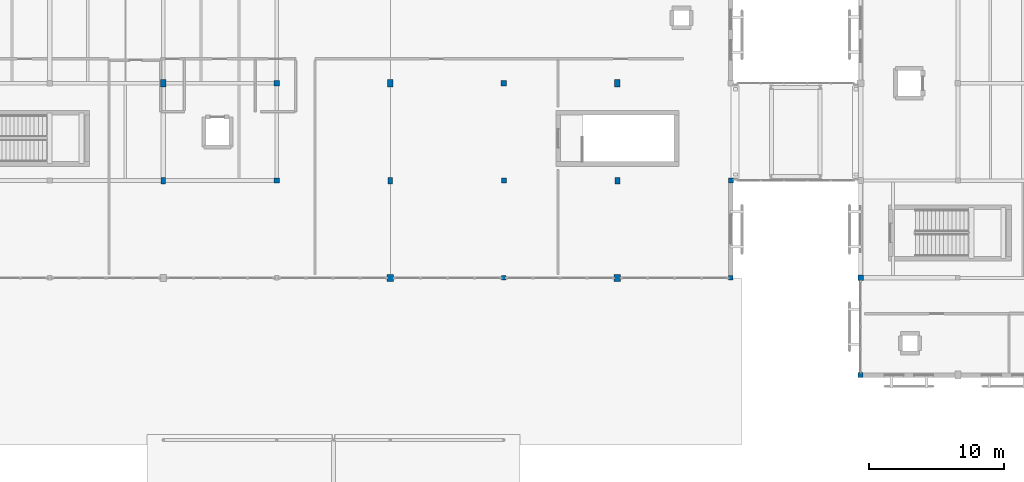
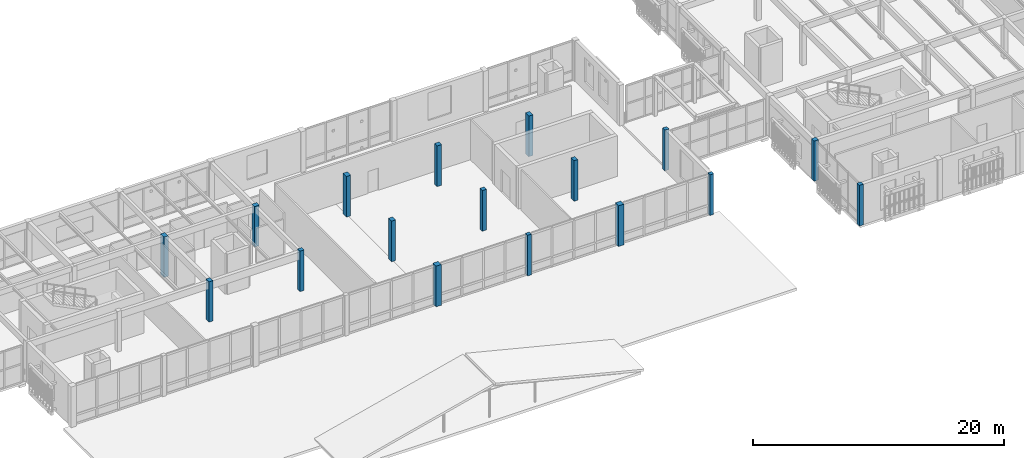
# One storey, part 4 of 217: 17 columns.
"""IFC4 building model written with IfcOpenShell, lengths in metres."""

from ifc_helpers import new_model, si_unit, direction, frame, origin, origin_2d, place, context, subcontext, project, spatial, rectangle, extrude, material, material_profile, profile_set, type_object, element, save


model = new_model("IFC4")

# Units and contexts
model_context = context("Model", 3, precision=1e-05, world=origin(), true_north=direction((0.0, 1.0)))
body_context = subcontext(model_context, "Body", "Model", "MODEL_VIEW")
ifc_project = project(units=[si_unit("LENGTHUNIT", "METRE"), si_unit("AREAUNIT", "SQUARE_METRE"), si_unit("VOLUMEUNIT", "CUBIC_METRE"), si_unit("PLANEANGLEUNIT", "RADIAN"), si_unit("MASSUNIT", "GRAM", prefix="KILO")], contexts=[model_context])

# Site, building, storey
site_placement = place(None, origin())
site = spatial("IfcSite", under=ifc_project, at=site_placement, CompositionType="ELEMENT")
building_placement = place(site_placement, origin())
building = spatial("IfcBuilding", under=site, at=building_placement, Name="Mazaris Harbour Polytechnic", CompositionType="ELEMENT")
storey_placement = place(building_placement, frame((0.0, 0.0, 9.60009765625)))
storey = spatial("IfcBuildingStorey", under=building, at=storey_placement, Name="L02", CompositionType="ELEMENT", Elevation=9.60009765625)

# Columns
ifc_material_1 = material(Name="Glulam GL28h", Category="wood")
ifc_material_profile_1 = material_profile(ifc_material_1, rectangle(XDim=0.340087890625, YDim=0.340087890625, at=origin_2d()), Name="RECT340x340")
ifc_profile_set_1 = profile_set([ifc_material_profile_1], Name="Glulam GL28h")
column_type_1 = type_object("IfcColumnType", Name="Glulam Column 340x340 Exterior", PredefinedType="COLUMN", material=ifc_profile_set_1)
for number, where, z_axis, x_axis, name in (
    (1, (96.0, 14.39990234375, 0.0), (0.0, 0.0, 1.0), (1.0, 0.0, 0.0), "V3 L02 Column 528"),
    (2, (112.800048828125, 14.39990234375, 0.0), (0.0, 0.0, 1.0), (1.0, 0.0, 0.0), "V3 L02 Column 536"),
):
    element("IfcColumn", number, at=place(storey_placement, frame(where, z_axis=z_axis, x_axis=x_axis)), inside=storey, type_object=column_type_1, Name=name, PredefinedType="COLUMN", context=body_context, shape_type="SweptSolid", body=[
        extrude(rectangle(XDim=0.340087890625, YDim=0.340087890625, at=origin_2d()), origin(), (0.0, 0.0, 1.0), 3.9599609375),
    ])
ifc_material_2 = material(Name="Glulam GL28h", Category="wood")
ifc_material_profile_2 = material_profile(ifc_material_2, rectangle(XDim=0.360107421875, YDim=0.47998046875, at=origin_2d()), Name="RECT360x480")
ifc_profile_set_2 = profile_set([ifc_material_profile_2], Name="Glulam GL28h")
column_type_2 = type_object("IfcColumnType", Name="Glulam Column 360x480", PredefinedType="COLUMN", material=ifc_profile_set_2)
column_1_placement = place(storey_placement, frame((70.800048828125, 21.60009765625, 0.0), z_axis=(0.0, 0.0, 1.0), x_axis=(1.0, 0.0, 0.0)))
element("IfcColumn", 3, at=column_1_placement, inside=storey, type_object=column_type_2, Name="V3 L02 Column 517", PredefinedType="COLUMN", context=body_context, shape_type="SweptSolid", body=[
    extrude(rectangle(XDim=0.360107421875, YDim=0.47998046875, at=origin_2d()), origin(), (0.0, 0.0, 1.0), 3.934814453125),
])
for number, where, z_axis, x_axis, name in (
    (4, (87.60009765625, 21.60009765625, 0.0), (0.0, 0.0, 1.0), (1.0, 0.0, 0.0), "V3 L02 Column 525"),
    (5, (104.39990234375, 21.60009765625, 0.0), (0.0, 0.0, 1.0), (1.0, 0.0, 0.0), "V3 L02 Column 533"),
):
    element("IfcColumn", number, at=place(storey_placement, frame(where, z_axis=z_axis, x_axis=x_axis)), inside=storey, type_object=column_type_2, Name=name, PredefinedType="COLUMN", context=body_context, shape_type="SweptSolid", body=[
        extrude(rectangle(XDim=0.360107421875, YDim=0.47998046875, at=origin_2d()), origin(), (0.0, 0.0, 1.0), 3.9599609375),
    ])
ifc_material_3 = material(Name="Glulam GL28h", Category="wood")
ifc_material_profile_3 = material_profile(ifc_material_3, rectangle(XDim=0.3798828125, YDim=0.3798828125, at=origin_2d()), Name="RECT380x380")
ifc_profile_set_3 = profile_set([ifc_material_profile_3], Name="Glulam GL28h")
column_type_3 = type_object("IfcColumnType", Name="Glulam Column 380x380", PredefinedType="COLUMN", material=ifc_profile_set_3)
column_2_placement = place(storey_placement, frame((79.199951171875, 21.60009765625, 0.0), z_axis=(0.0, 0.0, 1.0), x_axis=(1.0, 0.0, 0.0)))
element("IfcColumn", 6, at=column_2_placement, inside=storey, type_object=column_type_3, Name="V3 L02 Column 521", PredefinedType="COLUMN", context=body_context, shape_type="SweptSolid", body=[
    extrude(rectangle(XDim=0.3798828125, YDim=0.3798828125, at=origin_2d()), origin(), (0.0, 0.0, 1.0), 3.934814453125),
])
column_3_placement = place(storey_placement, frame((96.0, 21.60009765625, 0.0), z_axis=(0.0, 0.0, 1.0), x_axis=(1.0, 0.0, 0.0)))
element("IfcColumn", 7, at=column_3_placement, inside=storey, type_object=column_type_3, Name="V3 L02 Column 529", PredefinedType="COLUMN", context=body_context, shape_type="SweptSolid", body=[
    extrude(rectangle(XDim=0.3798828125, YDim=0.3798828125, at=origin_2d()), origin(), (0.0, 0.0, 1.0), 3.9599609375),
])
ifc_material_4 = material(Name="Glulam GL28h", Category="wood")
ifc_material_profile_4 = material_profile(ifc_material_4, rectangle(XDim=0.3798828125, YDim=0.3798828125, at=origin_2d()), Name="RECT380x380")
ifc_profile_set_4 = profile_set([ifc_material_profile_4], Name="Glulam GL28h")
column_type_4 = type_object("IfcColumnType", Name="Glulam Column 380x380 Exterior", PredefinedType="COLUMN", material=ifc_profile_set_4)
for number, where, z_axis, x_axis, name in (
    (8, (122.39990234375, 7.199951171875, 0.0), (0.0, 0.0, 1.0), (1.0, 0.0, 0.0), "V2 L02 Column 305"),
    (9, (112.800048828125, 21.60009765625, 0.0), (0.0, 0.0, 1.0), (1.0, 0.0, 0.0), "V3 L02 Column 537"),
):
    element("IfcColumn", number, at=place(storey_placement, frame(where, z_axis=z_axis, x_axis=x_axis)), inside=storey, type_object=column_type_4, Name=name, PredefinedType="COLUMN", context=body_context, shape_type="SweptSolid", body=[
        extrude(rectangle(XDim=0.3798828125, YDim=0.3798828125, at=origin_2d()), origin(), (0.0, 0.0, 1.0), 3.9599609375),
    ])
ifc_material_5 = material(Name="Glulam GL28h", Category="wood")
ifc_material_profile_5 = material_profile(ifc_material_5, rectangle(XDim=0.39990234375, YDim=0.5400390625, at=origin_2d()), Name="RECT400x540")
ifc_profile_set_5 = profile_set([ifc_material_profile_5], Name="Glulam GL28h")
column_type_5 = type_object("IfcColumnType", Name="Glulam Column 400x540", PredefinedType="COLUMN", material=ifc_profile_set_5)
column_4_placement = place(storey_placement, frame((70.800048828125, 28.800048828125, 0.0), z_axis=(0.0, 0.0, 1.0), x_axis=(1.0, 0.0, 0.0)))
element("IfcColumn", 10, at=column_4_placement, inside=storey, type_object=column_type_5, Name="V3 L02 Column 518", PredefinedType="COLUMN", context=body_context, shape_type="SweptSolid", body=[
    extrude(rectangle(XDim=0.39990234375, YDim=0.5400390625, at=origin_2d()), origin(), (0.0, 0.0, 1.0), 3.934814453125),
])
for number, where, z_axis, x_axis, name in (
    (11, (87.60009765625, 28.800048828125, 0.0), (0.0, 0.0, 1.0), (1.0, 0.0, 0.0), "V3 L02 Column 526"),
    (12, (104.39990234375, 28.800048828125, 0.0), (0.0, 0.0, 1.0), (1.0, 0.0, 0.0), "V3 L02 Column 534"),
):
    element("IfcColumn", number, at=place(storey_placement, frame(where, z_axis=z_axis, x_axis=x_axis)), inside=storey, type_object=column_type_5, Name=name, PredefinedType="COLUMN", context=body_context, shape_type="SweptSolid", body=[
        extrude(rectangle(XDim=0.39990234375, YDim=0.5400390625, at=origin_2d()), origin(), (0.0, 0.0, 1.0), 3.9599609375),
    ])
ifc_material_6 = material(Name="Glulam GL28h", Category="wood")
ifc_material_profile_6 = material_profile(ifc_material_6, rectangle(XDim=0.419921875, YDim=0.419921875, at=origin_2d()), Name="RECT420x420")
ifc_profile_set_6 = profile_set([ifc_material_profile_6], Name="Glulam GL28h")
column_type_6 = type_object("IfcColumnType", Name="Glulam Column 420x420", PredefinedType="COLUMN", material=ifc_profile_set_6)
column_5_placement = place(storey_placement, frame((79.199951171875, 28.800048828125, 0.0), z_axis=(0.0, 0.0, 1.0), x_axis=(1.0, 0.0, 0.0)))
element("IfcColumn", 13, at=column_5_placement, inside=storey, type_object=column_type_6, Name="V3 L02 Column 522", PredefinedType="COLUMN", context=body_context, shape_type="SweptSolid", body=[
    extrude(rectangle(XDim=0.419921875, YDim=0.419921875, at=origin_2d()), origin(), (0.0, 0.0, 1.0), 3.934814453125),
])
column_6_placement = place(storey_placement, frame((96.0, 28.800048828125, 0.0), z_axis=(0.0, 0.0, 1.0), x_axis=(1.0, 0.0, 0.0)))
element("IfcColumn", 14, at=column_6_placement, inside=storey, type_object=column_type_6, Name="V3 L02 Column 530", PredefinedType="COLUMN", context=body_context, shape_type="SweptSolid", body=[
    extrude(rectangle(XDim=0.419921875, YDim=0.419921875, at=origin_2d()), origin(), (0.0, 0.0, 1.0), 3.9599609375),
])
ifc_material_7 = material(Name="Glulam GL28h", Category="wood")
ifc_material_profile_7 = material_profile(ifc_material_7, rectangle(XDim=0.419921875, YDim=0.419921875, at=origin_2d()), Name="RECT420x420")
ifc_profile_set_7 = profile_set([ifc_material_profile_7], Name="Glulam GL28h")
column_type_7 = type_object("IfcColumnType", Name="Glulam Column 420x420 Exterior", PredefinedType="COLUMN", material=ifc_profile_set_7)
column_7_placement = place(storey_placement, frame((122.39990234375, 14.39990234375, 0.0), z_axis=(0.0, 0.0, 1.0), x_axis=(1.0, 0.0, 0.0)))
element("IfcColumn", 15, at=column_7_placement, inside=storey, type_object=column_type_7, Name="V2 L02 Column 306", PredefinedType="COLUMN", context=body_context, shape_type="SweptSolid", body=[
    extrude(rectangle(XDim=0.419921875, YDim=0.419921875, at=origin_2d()), origin(), (0.0, 0.0, 1.0), 3.919921875),
])
ifc_material_8 = material(Name="Glulam GL28h", Category="wood")
ifc_material_profile_8 = material_profile(ifc_material_8, rectangle(XDim=0.5, YDim=0.5, at=origin_2d()), Name="RECT500x500")
ifc_profile_set_8 = profile_set([ifc_material_profile_8], Name="Glulam GL28h")
column_type_8 = type_object("IfcColumnType", Name="Glulam Column 500x500 Exterior", PredefinedType="COLUMN", material=ifc_profile_set_8)
for number, where, z_axis, x_axis, name in (
    (16, (87.60009765625, 14.39990234375, 0.0), (0.0, 0.0, 1.0), (1.0, 0.0, 0.0), "V3 L02 Column 524"),
    (17, (104.39990234375, 14.39990234375, 0.0), (0.0, 0.0, 1.0), (1.0, 0.0, 0.0), "V3 L02 Column 532"),
):
    element("IfcColumn", number, at=place(storey_placement, frame(where, z_axis=z_axis, x_axis=x_axis)), inside=storey, type_object=column_type_8, Name=name, PredefinedType="COLUMN", context=body_context, shape_type="SweptSolid", body=[
        extrude(rectangle(XDim=0.5, YDim=0.5, at=origin_2d()), origin(), (0.0, 0.0, 1.0), 3.9599609375),
    ])

save(model, "model.ifc")
